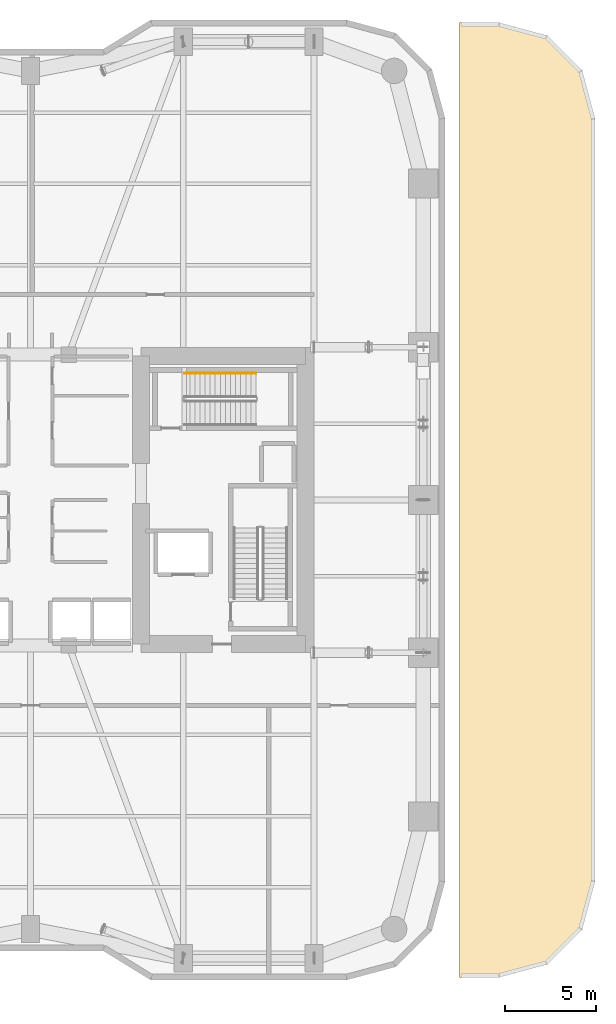
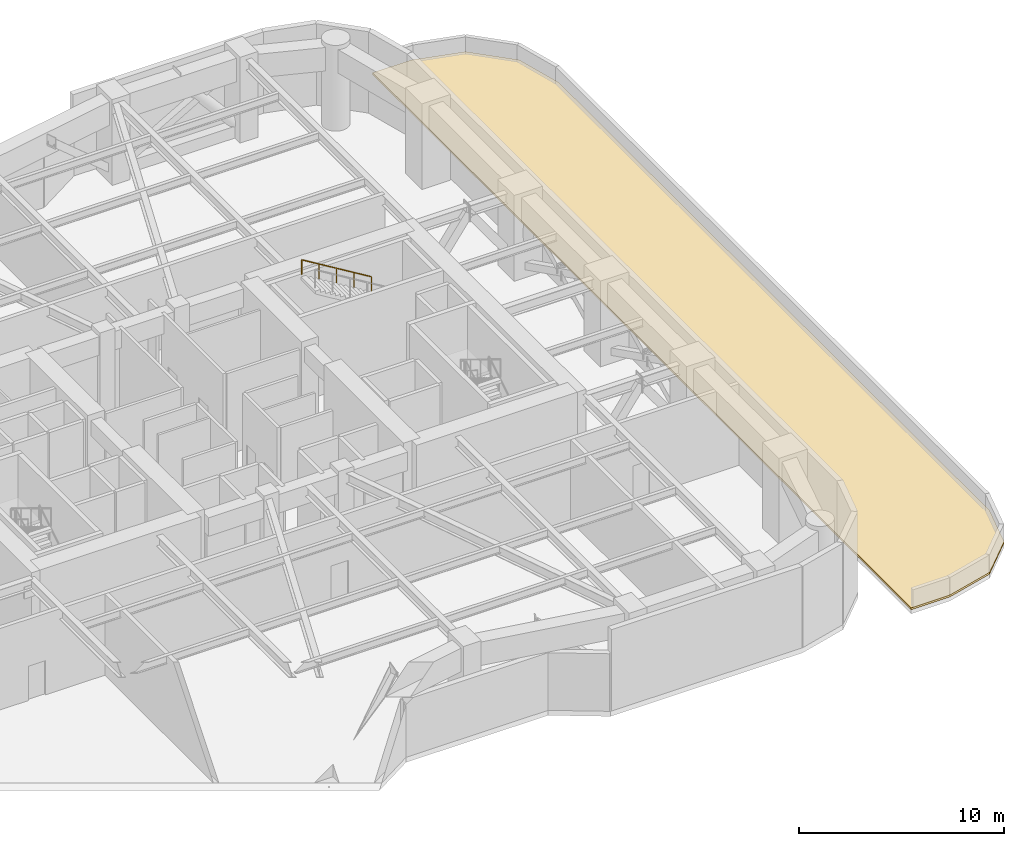
# One storey, part 16 of 16: 1 covering, 1 railing.
"""IFC4 building model written with IfcOpenShell, lengths in metres."""

import ifcopenshell
import ifcopenshell.guid

model = None  # the IFC model being written
_history = None  # IfcOwnerHistory: only IFC2X3 demands one
_inside = {}  # id of a spatial element -> (the spatial element, [elements in it])
_under = {}  # id of a project, library or spatial element -> (it, [spatial elements below it])
_declared = {}  # id of a project -> (the project, [libraries it declares])
_typed = {}  # id of a type object -> (the type object, [elements of that type])
_made_of = {}  # id of a material, layer set ... -> (it, [elements and type objects made of it])


def new_model(schema):
    """Start an empty IFC model of exactly this schema.

    Asked for "IFC4X3", IfcOpenShell would pick the latest addendum, in which some entities
    have other attributes; the version numbers below select the first issue.
    IFC2X3 requires an IfcOwnerHistory on every rooted entity: one is made here for all.
    """
    global model, _history
    if schema == "IFC4X3":
        model = ifcopenshell.file(schema_version=(4, 3, 0, 0))
    else:
        model = ifcopenshell.file(schema=schema)
    _inside.clear()
    _under.clear()
    _declared.clear()
    _typed.clear()
    _made_of.clear()
    _history = None
    if model.schema == "IFC2X3":
        org = make("IfcOrganization", Name="unknown")
        user = make(
            "IfcPersonAndOrganization",
            ThePerson=make("IfcPerson", FamilyName="unknown"),
            TheOrganization=org,
        )
        app = make(
            "IfcApplication",
            ApplicationDeveloper=org,
            Version="unknown",
            ApplicationFullName="unknown",
            ApplicationIdentifier="unknown",
        )
        _history = make(
            "IfcOwnerHistory",
            OwningUser=user,
            OwningApplication=app,
            ChangeAction="ADDED",
            CreationDate=0,
        )
    return model


def make(cls, **values):
    """One entity of the class cls with the attributes given. An attribute that is None is left unset."""
    return model.create_entity(
        cls, **{name: value for name, value in values.items() if value is not None}
    )


def rooted(cls, **values):
    """An entity with a GlobalId (a new one), such as an element, a storey or a relation."""
    return make(cls, GlobalId=ifcopenshell.guid.new(), OwnerHistory=_history, **values)


def si_unit(unit_type, name, prefix=None):
    """IfcSIUnit, for example si_unit("LENGTHUNIT", "METRE", prefix="MILLI")."""
    return make("IfcSIUnit", UnitType=unit_type, Prefix=prefix, Name=name)


def assignment(units):
    """IfcUnitAssignment: the units of a project."""
    return None if units is None else make("IfcUnitAssignment", Units=units)


def point(xyz):
    """IfcCartesianPoint."""
    return None if xyz is None else make("IfcCartesianPoint", Coordinates=xyz)


def direction(xyz):
    """IfcDirection."""
    return None if xyz is None else make("IfcDirection", DirectionRatios=xyz)


def frame(location, z_axis=None, x_axis=None):
    """IfcAxis2Placement3D, a coordinate frame: its origin and axes. An axis left out is left unset."""
    return make(
        "IfcAxis2Placement3D",
        Location=point(location),
        Axis=direction(z_axis),
        RefDirection=direction(x_axis),
    )


def frame_2d(location, x_axis=None):
    """IfcAxis2Placement2D, a coordinate frame in the plane: its origin and x axis."""
    return make(
        "IfcAxis2Placement2D", Location=point(location), RefDirection=direction(x_axis)
    )


def origin():
    """The frame at (0, 0, 0) with its axes left unset."""
    return frame((0.0, 0.0, 0.0))


def origin_2d():
    """The frame at (0, 0) in the plane with its x axis left unset."""
    return frame_2d((0.0, 0.0))


def place(relative_to, where):
    """IfcLocalPlacement: puts the frame where relative to a parent placement (None: the world)."""
    return make(
        "IfcLocalPlacement", PlacementRelTo=relative_to, RelativePlacement=where
    )


def context(
    kind, dimensions, precision=None, world=None, true_north=None, identifier=None
):
    """IfcGeometricRepresentationContext, for example the 3D "Model" context."""
    return make(
        "IfcGeometricRepresentationContext",
        ContextIdentifier=identifier,
        ContextType=kind,
        CoordinateSpaceDimension=dimensions,
        Precision=precision,
        WorldCoordinateSystem=world,
        TrueNorth=true_north,
    )


def subcontext(parent, identifier, kind, view, scale=None):
    """IfcGeometricRepresentationSubContext, for example "Body" below "Model"."""
    return make(
        "IfcGeometricRepresentationSubContext",
        ContextIdentifier=identifier,
        ContextType=kind,
        ParentContext=parent,
        TargetScale=scale,
        TargetView=view,
    )


def project(units=None, contexts=None):
    """IfcProject with its units and contexts."""
    return rooted(
        "IfcProject",
        Name="project",
        RepresentationContexts=contexts,
        UnitsInContext=assignment(units),
    )


def spatial(cls, under=None, at=None, **own):
    """A site, building, storey or space (cls), placed at a placement, below another one or the project."""
    s = rooted(cls, ObjectPlacement=at, **own)
    if under is not None:
        _under.setdefault(under.id(), (under, []))[1].append(s)
    return s


def polyline(points):
    """IfcPolyline through the points."""
    return make("IfcPolyline", Points=[point(p) for p in points])


def profile(cls, at=None, kind="AREA", **sizes):
    """A parametric profile (cls). Its sizes go by their IFC names, for example OverallWidth=200.0."""
    return make(cls, ProfileType=kind, Position=at, **sizes)


def rectangle(**sizes):
    """IfcRectangleProfileDef."""
    return profile("IfcRectangleProfileDef", **sizes)


def outline(outer, holes=None, kind="AREA"):
    """IfcArbitraryClosedProfileDef: a profile drawn as a closed curve; with holes, ...WithVoids."""
    if holes is None:
        return make("IfcArbitraryClosedProfileDef", ProfileType=kind, OuterCurve=outer)
    return make(
        "IfcArbitraryProfileDefWithVoids",
        ProfileType=kind,
        OuterCurve=outer,
        InnerCurves=holes,
    )


def extrude(swept, where, along, depth):
    """IfcExtrudedAreaSolid: the profile swept, set in the frame where, extruded along a direction by depth."""
    return make(
        "IfcExtrudedAreaSolid",
        SweptArea=swept,
        Position=where,
        ExtrudedDirection=direction(along),
        Depth=depth,
    )


def shape(context_of_items, identifier, shape_type, items):
    """IfcShapeRepresentation: the items that make up one representation, for example the "Body"."""
    return make(
        "IfcShapeRepresentation",
        ContextOfItems=context_of_items,
        RepresentationIdentifier=identifier,
        RepresentationType=shape_type,
        Items=items,
    )


def material(Name=None, Category=None):
    """IfcMaterial."""
    return make("IfcMaterial", Name=Name, Category=Category)


def layer(
    of_material, thickness, ventilated=None, Name=None, Category=None, Priority=None
):
    """IfcMaterialLayer: one layer of a wall or slab, of a material (None: an air gap)."""
    return make(
        "IfcMaterialLayer",
        Material=of_material,
        LayerThickness=thickness,
        IsVentilated=ventilated,
        Name=Name,
        Category=Category,
        Priority=Priority,
    )


def layer_set(layers, Name=None):
    """IfcMaterialLayerSet."""
    return make("IfcMaterialLayerSet", MaterialLayers=layers, LayerSetName=Name)


def made_of(thing, what):
    """Note that an element or type object is made of a material, layer set ...; save() writes the relation."""
    if what is not None:
        _made_of.setdefault(what.id(), (what, []))[1].append(thing)
    return thing


def type_object(cls, material=None, **own):
    """A type object (cls), such as IfcWallType, which elements share."""
    return made_of(rooted(cls, **own), material)


def element(
    cls,
    number,
    at=None,
    inside=None,
    cuts=None,
    type_object=None,
    material=None,
    context=None,
    identifier="Body",
    shape_type=None,
    held_by="IfcProductDefinitionShape",
    body=None,
    shapes=None,
    **own,
):
    """One element of the class cls, such as IfcWall. Its Tag is "e" and its number.

    at: its placement. inside: the storey or other place that contains it. cuts: it is an
    opening in that element (IfcRelVoidsElement). A single representation is given by context,
    identifier, shape_type and body (its items); several are given by shapes. held_by: the class
    of the entity that holds the representations. save() writes the other relations.
    """
    e = rooted(cls, Tag="e%d" % number, ObjectPlacement=at, **own)
    if body is not None:
        shapes = [shape(context, identifier, shape_type, body)]
    if shapes is not None:
        e.Representation = make(held_by, Representations=shapes)
    if inside is not None:
        _inside.setdefault(inside.id(), (inside, []))[1].append(e)
    if cuts is not None:
        rooted(
            "IfcRelVoidsElement", RelatingBuildingElement=cuts, RelatedOpeningElement=e
        )
    if type_object is not None:
        _typed.setdefault(type_object.id(), (type_object, []))[1].append(e)
    return made_of(e, material)


def aggregate(whole, parts):
    """IfcRelAggregates: a whole, such as a stair, and the parts it consists of."""
    return rooted("IfcRelAggregates", RelatingObject=whole, RelatedObjects=parts)


def save(model, path):
    """Write the relations noted so far, then the file.

    IfcRelAggregates (storeys below a building ...), IfcRelContainedInSpatialStructure (elements
    in a storey), IfcRelDefinesByType, IfcRelAssociatesMaterial and IfcRelDeclares: one each for
    every whole, place, type object, material and project.
    """
    for whole, parts in _under.values():
        aggregate(whole, parts)
    for where, things in _inside.values():
        rooted(
            "IfcRelContainedInSpatialStructure",
            RelatedElements=things,
            RelatingStructure=where,
        )
    for kind, things in _typed.values():
        rooted("IfcRelDefinesByType", RelatedObjects=things, RelatingType=kind)
    for what, things in _made_of.values():
        rooted("IfcRelAssociatesMaterial", RelatedObjects=things, RelatingMaterial=what)
    for by, libraries in _declared.values():
        rooted("IfcRelDeclares", RelatingContext=by, RelatedDefinitions=libraries)
    model.write(path)


model = new_model("IFC4")

# Units and contexts
model_context = context("Model", 3, precision=1e-05, world=origin(), true_north=direction((0.0, 1.0)))
body_context = subcontext(model_context, "Body", "Model", "MODEL_VIEW")
ifc_project = project(units=[si_unit("LENGTHUNIT", "METRE"), si_unit("AREAUNIT", "SQUARE_METRE"), si_unit("VOLUMEUNIT", "CUBIC_METRE"), si_unit("PLANEANGLEUNIT", "RADIAN"), si_unit("MASSUNIT", "GRAM", prefix="KILO")], contexts=[model_context])

# Site, building, storey
site_placement = place(None, origin())
site = spatial("IfcSite", under=ifc_project, at=site_placement, CompositionType="ELEMENT")
building_placement = place(site_placement, origin())
building = spatial("IfcBuilding", under=site, at=building_placement, Name="Kiyonajd Concourse Tower", CompositionType="ELEMENT")
storey_placement = place(building_placement, frame((0.0, 0.0, 80.699951171875)))
storey = spatial("IfcBuildingStorey", under=building, at=storey_placement, Name="L21", CompositionType="ELEMENT", Elevation=80.699951171875)

# Covering
ifc_material_1 = material(Name="Engineered Hinoki Wood-Effect Architectural Tile", Category="wood")
ifc_layer = layer(ifc_material_1, 0.1201171875)
ifc_layer_set = layer_set([ifc_layer], Name="Engineered Hinoki Wood-Effect Architectural Tile")
covering_type = type_object("IfcCoveringType", Name="CV-ROOF-MEMB", PredefinedType="ROOFING", material=ifc_layer_set)
covering_placement = place(storey_placement, origin())
element("IfcCovering", 1, at=covering_placement, inside=storey, type_object=covering_type, Name="L21 Setback Roof Membrane", PredefinedType="ROOFING", context=body_context, shape_type="SweptSolid", body=[
    extrude(outline(polyline([(76.422119140625, 61.54296875), (78.343017578125, 59.6220703125), (79.050048828125, 56.97998046875), (79.050048828125, 15.02001953125), (78.343017578125, 12.3779296875), (76.422119140625, 10.45703125), (73.780029296875, 9.75), (71.60009765625, 9.75), (71.60009765625, 62.25), (73.780029296875, 62.25), (76.422119140625, 61.54296875)])), origin(), (0.0, 0.0, 1.0), 0.1201171875),
])

# Railing
ifc_material_2 = material(Name="Brushed Stainless Steel Cab Assembly", Category="steel")
railing_type = type_object("IfcRailingType", Name="RL-HND-900", PredefinedType="HANDRAIL", material=ifc_material_2)
railing_placement = place(storey_placement, frame((60.39990234375, 42.969970703125, 2.719970703125)))
element("IfcRailing", 2, at=railing_placement, inside=storey, type_object=railing_type, Name="L21 ST3 stair handrail 2", PredefinedType="HANDRAIL", context=body_context, shape_type="SweptSolid", body=[
    extrude(rectangle(XDim=0.048095703125, YDim=0.048095703125, at=origin_2d()), frame((0.0, 0.0, 0.8759765625), z_axis=(-0.854770645689, 0.0, 0.519005918337), x_axis=(0.0, -1.0, 0.0)), (0.0, 0.0, 1.0), 4.5859375),
    extrude(rectangle(XDim=0.0419921875, YDim=0.0419921875, at=origin_2d()), origin(), (0.0, 0.0, 1.0), 0.851806640625),
    extrude(rectangle(XDim=0.0419921875, YDim=0.0419921875, at=origin_2d()), frame((-0.97998046875, 0.0, 0.594970703125)), (0.0, 0.0, 1.0), 0.851806640625),
    extrude(rectangle(XDim=0.0419921875, YDim=0.0419921875, at=origin_2d()), frame((-1.9599609375, 0.0, 1.18994140625)), (0.0, 0.0, 1.0), 0.851806640625),
    extrude(rectangle(XDim=0.0419921875, YDim=0.0419921875, at=origin_2d()), frame((-2.93994140625, 0.0, 1.78515625)), (0.0, 0.0, 1.0), 0.851806640625),
    extrude(rectangle(XDim=0.0419921875, YDim=0.0419921875, at=origin_2d()), frame((-3.919921875, 0.0, 2.380126953125)), (0.0, 0.0, 1.0), 0.851806640625),
])

save(model, "model.ifc")
